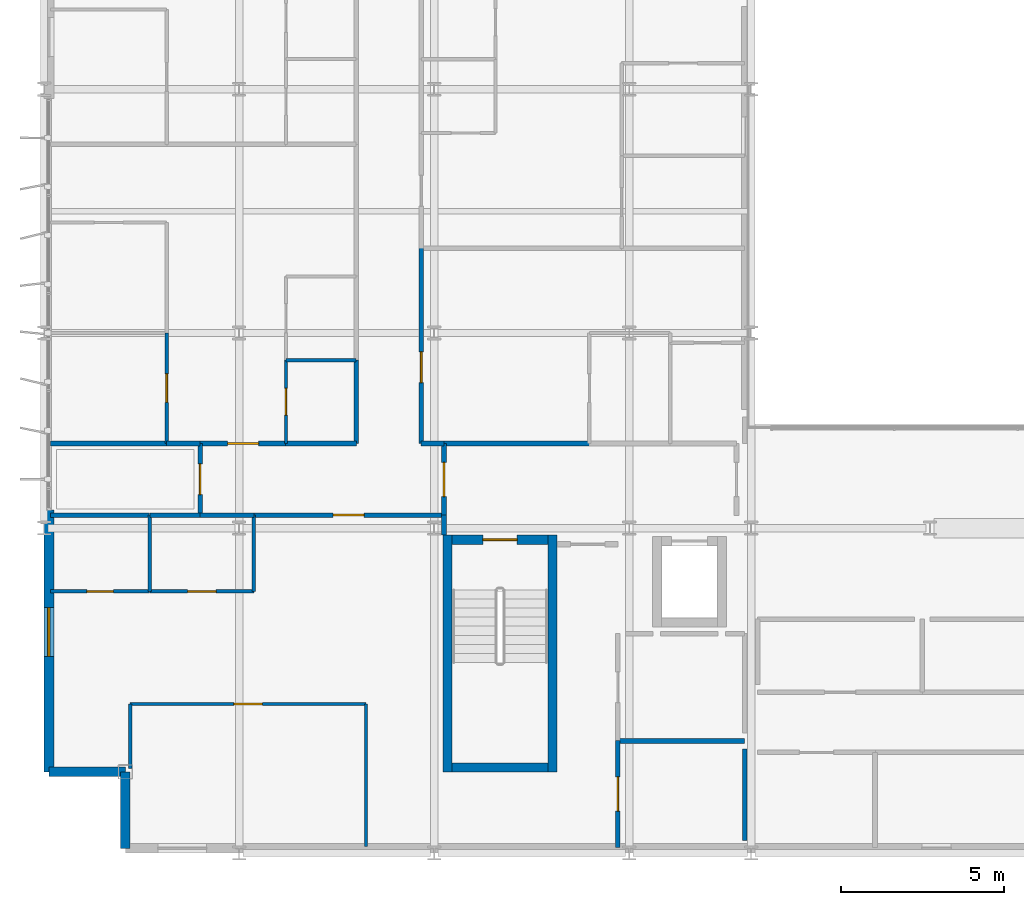
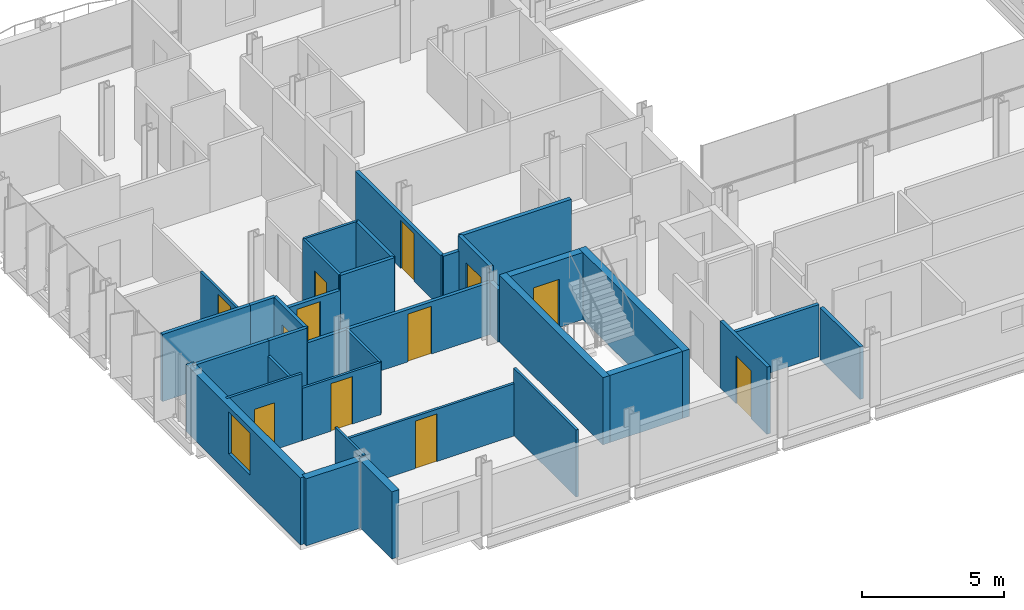
# One storey, part 27 of 38: 35 walls, 12 doors, 1 window, 13 openings.
"""IFC4 building model written with IfcOpenShell, lengths in metres."""

from ifc_helpers import new_model, si_unit, direction, frame, frame_2d, origin, place, context, subcontext, project, spatial, rectangle, extrude, material, layer, layer_set, type_object, element, fill, save


model = new_model("IFC4")

# Units and contexts
model_context = context("Model", 3, precision=1e-05, world=origin(), true_north=direction((0.0, 1.0)))
body_context = subcontext(model_context, "Body", "Model", "MODEL_VIEW")
ifc_project = project(units=[si_unit("LENGTHUNIT", "METRE"), si_unit("AREAUNIT", "SQUARE_METRE"), si_unit("VOLUMEUNIT", "CUBIC_METRE"), si_unit("PLANEANGLEUNIT", "RADIAN"), si_unit("MASSUNIT", "GRAM", prefix="KILO")], contexts=[model_context])

# Site, building, storey
site_placement = place(None, origin())
site = spatial("IfcSite", under=ifc_project, at=site_placement, CompositionType="ELEMENT")
building_placement = place(site_placement, origin())
building = spatial("IfcBuilding", under=site, at=building_placement, Name="Brevholm Reach", CompositionType="ELEMENT")
storey_placement = place(building_placement, frame((0.0, 0.0, 122.10009765625)))
storey = spatial("IfcBuildingStorey", under=building, at=storey_placement, Name="L36", CompositionType="ELEMENT", Elevation=122.10009765625)

# Walls
ifc_material_1 = material(Name="Concrete C50/60", Category="concrete")
ifc_layer_1 = layer(ifc_material_1, 0.280029296875)
ifc_layer_set_1 = layer_set([ifc_layer_1], Name="Concrete C50/60")
wall_type_1 = type_object("IfcWallType", Name="WAL-COR-280", PredefinedType="SHEAR", material=ifc_layer_set_1)
for number, where, z_axis, x_axis, name in (
    (1, (12.409912109375, 2.5, 0.0), (0.0, 0.0, 1.0), (0.0, 1.0, 0.0), "L36 Escape Stair ST-1 Core Wall W"),
    (2, (15.639892578125, 2.5, 0.0), (0.0, 0.0, 1.0), (0.0, 1.0, 0.0), "L36 Escape Stair ST-1 Core Wall E"),
):
    element("IfcWall", number, at=place(storey_placement, frame(where, z_axis=z_axis, x_axis=x_axis)), inside=storey, type_object=wall_type_1, Name=name, PredefinedType="SHEAR", context=body_context, shape_type="SweptSolid", body=[
        extrude(rectangle(XDim=7.280029296875, YDim=0.280029296875, at=frame_2d((3.64013671875, 0.0))), origin(), (0.0, 0.0, 1.0), 2.8798828125),
    ])
wall_1_placement = place(storey_placement, frame((12.550048828125, 2.639892578125, 0.0), z_axis=(0.0, 0.0, 1.0), x_axis=(1.0, 0.0, 0.0)))
element("IfcWall", 3, at=wall_1_placement, inside=storey, type_object=wall_type_1, Name="L36 Escape Stair ST-1 Core Wall S", PredefinedType="SHEAR", context=body_context, shape_type="SweptSolid", body=[
    extrude(rectangle(XDim=2.949951171875, YDim=0.280029296875, at=frame_2d((1.47509765625, 0.0))), origin(), (0.0, 0.0, 1.0), 2.8798828125),
])

# Wall, opening, door
wall_2_placement = place(storey_placement, frame((15.5, 9.639892578125, 0.0), z_axis=(0.0, 0.0, 1.0), x_axis=(-1.0, 0.0, 0.0)))
wall_2 = element("IfcWall", 4, at=wall_2_placement, inside=storey, type_object=wall_type_1, Name="L36 Escape Stair ST-1 Core Wall N", PredefinedType="SHEAR", context=body_context, shape_type="SweptSolid", body=[
    extrude(rectangle(XDim=2.949951171875, YDim=0.280029296875, at=frame_2d((1.47509765625, 0.0))), origin(), (0.0, 0.0, 1.0), 2.8798828125),
])
opening_1_placement = place(wall_2_placement, frame((0.949951171875, 0.0, 0.0)))
opening_1 = element("IfcOpeningElement", 5, at=opening_1_placement, cuts=wall_2, Name="Opening SD-ST-1", PredefinedType="OPENING", context=body_context, shape_type="SweptSolid", body=[
    extrude(rectangle(XDim=1.050048828125, YDim=2.06005859375, at=frame_2d((0.52490234375, 1.030029296875))), frame((0.0, 0.14990234375, 0.0), z_axis=(0.0, -1.0, 0.0), x_axis=(1.0, 0.0, 0.0)), (0.0, 0.0, 1.0), 0.300048828125),
])
ifc_material_2 = material(Name="Hardwood-Lipped Steel-Core Fire and Smoke Door", Category="steel")
door_type_1 = type_object("IfcDoorType", Name="DOR-INT-FD60S", OperationType="NOTDEFINED", PredefinedType="DOOR", material=ifc_material_2)
door_1_placement = place(opening_1_placement, origin())
door_1 = element("IfcDoor", 6, at=door_1_placement, inside=storey, type_object=door_type_1, Name="L36 Protected Stair ST-1 Lobby Door", OperationType="SINGLE_SWING_RIGHT", OverallHeight=2.06005859375, OverallWidth=1.050048828125, PredefinedType="DOOR", context=body_context, shape_type="SweptSolid", body=[
    extrude(rectangle(XDim=1.050048828125, YDim=2.06005859375, at=frame_2d((0.52490234375, 1.030029296875))), frame((0.0, 0.02490234375, 0.0), z_axis=(0.0, -1.0, 0.0), x_axis=(1.0, 0.0, 0.0)), (0.0, 0.0, 1.0), 0.050048828125),
])
fill(opening_1, door_1)

# Walls
ifc_material_3 = material(Name="Concrete C40/50", Category="concrete")
ifc_layer_2 = layer(ifc_material_3, 0.300048828125)
ifc_layer_set_2 = layer_set([ifc_layer_2], Name="Concrete C40/50")
wall_type_2 = type_object("IfcWallType", Name="WAL-EXT-300", PredefinedType="STANDARD", material=ifc_layer_set_2)
for number, where, z_axis, x_axis, name in (
    (7, (2.5, 2.5, 0.0), (0.0, 0.0, 1.0), (0.0, -1.0, 0.0), "L36 Facade Wall WAL-L36-CSW1"),
    (8, (0.14990234375, 2.5, 0.0), (0.0, 0.0, 1.0), (1.0, 0.0, 0.0), "L36 Facade Wall WAL-L36-CSW2"),
):
    element("IfcWall", number, at=place(storey_placement, frame(where, z_axis=z_axis, x_axis=x_axis)), inside=storey, type_object=wall_type_2, Name=name, PredefinedType="STANDARD", context=body_context, shape_type="SweptSolid", body=[
        extrude(rectangle(XDim=2.35009765625, YDim=0.300048828125, at=frame_2d((1.175048828125, 0.0))), origin(), (0.0, 0.0, 1.0), 2.8798828125),
    ])

# Wall, opening, window
wall_3_placement = place(storey_placement, frame((0.14990234375, 10.550048828125, 0.0), z_axis=(0.0, 0.0, 1.0), x_axis=(0.0, -1.0, 0.0)))
wall_3 = element("IfcWall", 9, at=wall_3_placement, inside=storey, type_object=wall_type_2, Name="L36 Facade Wall WAL-L36-W-S", PredefinedType="STANDARD", context=body_context, shape_type="SweptSolid", body=[
    extrude(rectangle(XDim=8.050048828125, YDim=0.300048828125, at=frame_2d((4.02490234375, 0.0))), origin(), (0.0, 0.0, 1.0), 2.8798828125),
])
opening_2_placement = place(wall_3_placement, frame((3.0, 0.0, 0.860107421875)))
opening_2 = element("IfcOpeningElement", 10, at=opening_2_placement, cuts=wall_3, Name="Opening WN-05", PredefinedType="OPENING", context=body_context, shape_type="SweptSolid", body=[
    extrude(rectangle(XDim=1.5, YDim=1.800048828125, at=frame_2d((0.75, 0.89990234375))), frame((0.0, 0.159912109375, 0.0), z_axis=(0.0, -1.0, 0.0), x_axis=(1.0, 0.0, 0.0)), (0.0, 0.0, 1.0), 0.320068359375),
])
ifc_material_4 = material(Name="Dark Anodised Aluminium and Solar-Control IGU Glass", Category="aluminium")
window_type = type_object("IfcWindowType", Name="WIN-RES-1500", PartitioningType="SINGLE_PANEL", PredefinedType="WINDOW", material=ifc_material_4)
window_placement = place(opening_2_placement, origin())
window = element("IfcWindow", 11, at=window_placement, inside=storey, type_object=window_type, Name="L36 Window WIN-L36-WS-1", OverallHeight=1.800048828125, OverallWidth=1.5, PartitioningType="SINGLE_PANEL", PredefinedType="WINDOW", context=body_context, shape_type="SweptSolid", body=[
    extrude(rectangle(XDim=1.5, YDim=1.800048828125, at=frame_2d((0.75, 0.89990234375))), frame((0.0, 0.030029296875, 0.0), z_axis=(0.0, -1.0, 0.0), x_axis=(1.0, 0.0, 0.0)), (0.0, 0.0, 1.0), 0.06005859375),
])
fill(opening_2, window)

# Wall
ifc_material_5 = material(Name="Moisture-Resistant Acoustic Gypsum Stud Partition 100 mm", Category="gypsum")
ifc_layer_3 = layer(ifc_material_5, 0.10009765625)
ifc_layer_set_3 = layer_set([ifc_layer_3], Name="Moisture-Resistant Acoustic Gypsum Stud Partition 100 mm")
wall_type_3 = type_object("IfcWallType", Name="WAL-PRT-100", PredefinedType="PARTITIONING", material=ifc_layer_set_3)
wall_4_placement = place(storey_placement, frame((3.25, 8.053955078125, 0.0), z_axis=(0.0, 0.0, 1.0), x_axis=(0.0, 1.0, 0.0)))
element("IfcWall", 12, at=wall_4_placement, inside=storey, type_object=wall_type_3, Name="L36 Internal Partition 065", PredefinedType="PARTITIONING", context=body_context, shape_type="SweptSolid", body=[
    extrude(rectangle(XDim=2.345947265625, YDim=0.10009765625, at=frame_2d((1.1728515625, 0.0))), origin(), (0.0, 0.0, 1.0), 2.24267578125),
])

# Wall, opening, door
wall_5_placement = place(storey_placement, frame((0.199951171875, 8.053955078125, 0.0), z_axis=(0.0, 0.0, 1.0), x_axis=(1.0, 0.0, 0.0)))
wall_5 = element("IfcWall", 13, at=wall_5_placement, inside=storey, type_object=wall_type_3, Name="L36 Internal Partition 066", PredefinedType="PARTITIONING", context=body_context, shape_type="SweptSolid", body=[
    extrude(rectangle(XDim=3.050048828125, YDim=0.10009765625, at=frame_2d((1.52490234375, 0.0))), origin(), (0.0, 0.0, 1.0), 2.8798828125),
])
opening_3_placement = place(wall_5_placement, frame((1.114990234375, 0.0, 0.0)))
opening_3 = element("IfcOpeningElement", 14, at=opening_3_placement, cuts=wall_5, Name="Opening ID-03", PredefinedType="OPENING", context=body_context, shape_type="SweptSolid", body=[
    extrude(rectangle(XDim=0.820068359375, YDim=2.02001953125, at=frame_2d((0.41015625, 1.010009765625))), frame((0.0, 0.06005859375, 0.0), z_axis=(0.0, -1.0, 0.0), x_axis=(1.0, 0.0, 0.0)), (0.0, 0.0, 1.0), 0.1201171875),
])
ifc_material_6 = material(Name="Moisture-Resistant Painted Timber Internal Bathroom Door", Category="wood")
door_type_2 = type_object("IfcDoorType", Name="DOR-BATH-820", OperationType="NOTDEFINED", PredefinedType="DOOR", material=ifc_material_6)
door_2_placement = place(opening_3_placement, origin())
door_2 = element("IfcDoor", 15, at=door_2_placement, inside=storey, type_object=door_type_2, Name="L36 Internal Door 026", OperationType="SINGLE_SWING_RIGHT", OverallHeight=2.02001953125, OverallWidth=0.820068359375, PredefinedType="DOOR", context=body_context, shape_type="SweptSolid", body=[
    extrude(rectangle(XDim=0.820068359375, YDim=2.02001953125, at=frame_2d((0.41015625, 1.010009765625))), frame((0.0, 0.02490234375, 0.0), z_axis=(0.0, -1.0, 0.0), x_axis=(1.0, 0.0, 0.0)), (0.0, 0.0, 1.0), 0.050048828125),
])
fill(opening_3, door_2)

wall_6_placement = place(storey_placement, frame((3.25390625, 8.053955078125, 0.0), z_axis=(0.0, 0.0, 1.0), x_axis=(1.0, 0.0, 0.0)))
wall_6 = element("IfcWall", 16, at=wall_6_placement, inside=storey, type_object=wall_type_3, Name="L36 Internal Partition 068", PredefinedType="PARTITIONING", context=body_context, shape_type="SweptSolid", body=[
    extrude(rectangle(XDim=3.196044921875, YDim=0.10009765625, at=frame_2d((1.59814453125, 0.0))), origin(), (0.0, 0.0, 1.0), 2.24267578125),
])
opening_4_placement = place(wall_6_placement, frame((1.157958984375, 0.0, 0.0)))
opening_4 = element("IfcOpeningElement", 17, at=opening_4_placement, cuts=wall_6, Name="Opening ID-01", PredefinedType="OPENING", context=body_context, shape_type="SweptSolid", body=[
    extrude(rectangle(XDim=0.8798828125, YDim=2.0400390625, at=frame_2d((0.43994140625, 1.02001953125))), frame((0.0, 0.06005859375, 0.0), z_axis=(0.0, -1.0, 0.0), x_axis=(1.0, 0.0, 0.0)), (0.0, 0.0, 1.0), 0.1201171875),
])
ifc_material_7 = material(Name="Lacquered Ash Solid-Core Acoustic Internal Door", Category="timber")
door_type_3 = type_object("IfcDoorType", Name="DOR-INT-880", OperationType="NOTDEFINED", PredefinedType="DOOR", material=ifc_material_7)
door_3_placement = place(opening_4_placement, origin())
door_3 = element("IfcDoor", 18, at=door_3_placement, inside=storey, type_object=door_type_3, Name="L36 Internal Door 027", OperationType="SINGLE_SWING_LEFT", OverallHeight=2.0400390625, OverallWidth=0.8798828125, PredefinedType="DOOR", context=body_context, shape_type="SweptSolid", body=[
    extrude(rectangle(XDim=0.8798828125, YDim=2.0400390625, at=frame_2d((0.43994140625, 1.02001953125))), frame((0.0, 0.02490234375, 0.0), z_axis=(0.0, -1.0, 0.0), x_axis=(1.0, 0.0, 0.0)), (0.0, 0.0, 1.0), 0.050048828125),
])
fill(opening_4, door_3)

# Walls
wall_7_placement = place(storey_placement, frame((6.449951171875, 8.053955078125, 0.0), z_axis=(0.0, 0.0, 1.0), x_axis=(0.0, 1.0, 0.0)))
element("IfcWall", 19, at=wall_7_placement, inside=storey, type_object=wall_type_3, Name="L36 Internal Partition 069", PredefinedType="PARTITIONING", context=body_context, shape_type="SweptSolid", body=[
    extrude(rectangle(XDim=2.342041015625, YDim=0.10009765625, at=frame_2d((1.1708984375, 0.0))), origin(), (0.0, 0.0, 1.0), 2.24267578125),
])
wall_8_placement = place(storey_placement, frame((2.64990234375, 2.599365234375, 0.0), z_axis=(0.0, 0.0, 1.0), x_axis=(0.0, 1.0, 0.0)))
element("IfcWall", 20, at=wall_8_placement, inside=storey, type_object=wall_type_3, Name="L36 Internal Partition 071", PredefinedType="PARTITIONING", context=body_context, shape_type="SweptSolid", body=[
    extrude(rectangle(XDim=1.986572265625, YDim=0.10009765625, at=frame_2d((0.9931640625, 0.0))), origin(), (0.0, 0.0, 1.0), 2.8798828125),
])
wall_9_placement = place(storey_placement, frame((9.89990234375, 0.199951171875, 0.0), z_axis=(0.0, 0.0, 1.0), x_axis=(0.0, 1.0, 0.0)))
element("IfcWall", 21, at=wall_9_placement, inside=storey, type_object=wall_type_3, Name="L36 Internal Partition 072", PredefinedType="PARTITIONING", context=body_context, shape_type="SweptSolid", body=[
    extrude(rectangle(XDim=4.385986328125, YDim=0.10009765625, at=frame_2d((2.19287109375, 0.0))), origin(), (0.0, 0.0, 1.0), 2.8798828125),
])

# Wall, opening, door
wall_10_placement = place(storey_placement, frame((2.64990234375, 4.5859375, 0.0), z_axis=(0.0, 0.0, 1.0), x_axis=(1.0, 0.0, 0.0)))
wall_10 = element("IfcWall", 22, at=wall_10_placement, inside=storey, type_object=wall_type_3, Name="L36 Internal Partition 073", PredefinedType="PARTITIONING", context=body_context, shape_type="SweptSolid", body=[
    extrude(rectangle(XDim=7.25, YDim=0.10009765625, at=frame_2d((3.625, 0.0))), origin(), (0.0, 0.0, 1.0), 2.24267578125),
])
opening_5_placement = place(wall_10_placement, frame((3.18505859375, 0.0, 0.0)))
opening_5 = element("IfcOpeningElement", 23, at=opening_5_placement, cuts=wall_10, Name="Opening ID-01", PredefinedType="OPENING", context=body_context, shape_type="SweptSolid", body=[
    extrude(rectangle(XDim=0.8798828125, YDim=2.0400390625, at=frame_2d((0.43994140625, 1.02001953125))), frame((0.0, 0.06005859375, 0.0), z_axis=(0.0, -1.0, 0.0), x_axis=(1.0, 0.0, 0.0)), (0.0, 0.0, 1.0), 0.1201171875),
])
door_4_placement = place(opening_5_placement, origin())
door_4 = element("IfcDoor", 24, at=door_4_placement, inside=storey, type_object=door_type_3, Name="L36 Internal Door 028", OperationType="SINGLE_SWING_RIGHT", OverallHeight=2.0400390625, OverallWidth=0.8798828125, PredefinedType="DOOR", context=body_context, shape_type="SweptSolid", body=[
    extrude(rectangle(XDim=0.8798828125, YDim=2.0400390625, at=frame_2d((0.43994140625, 1.02001953125))), frame((0.0, 0.02490234375, 0.0), z_axis=(0.0, -1.0, 0.0), x_axis=(1.0, 0.0, 0.0)), (0.0, 0.0, 1.0), 0.050048828125),
])
fill(opening_5, door_4)

# Wall
wall_11_placement = place(storey_placement, frame((7.43798828125, 15.1640625, 0.0), z_axis=(0.0, 0.0, 1.0), x_axis=(1.0, 0.0, 0.0)))
element("IfcWall", 25, at=wall_11_placement, inside=storey, type_object=wall_type_3, Name="L36 Internal Partition 088", PredefinedType="PARTITIONING", context=body_context, shape_type="SweptSolid", body=[
    extrude(rectangle(XDim=2.157958984375, YDim=0.10009765625, at=frame_2d((1.0791015625, 0.0))), origin(), (0.0, 0.0, 1.0), 2.8798828125),
])

# Wall, opening, door
wall_12_placement = place(storey_placement, frame((7.43798828125, 12.60400390625, 0.0), z_axis=(0.0, 0.0, 1.0), x_axis=(0.0, 1.0, 0.0)))
wall_12 = element("IfcWall", 26, at=wall_12_placement, inside=storey, type_object=wall_type_3, Name="L36 Internal Partition 089", PredefinedType="PARTITIONING", context=body_context, shape_type="SweptSolid", body=[
    extrude(rectangle(XDim=2.56005859375, YDim=0.10009765625, at=frame_2d((1.280029296875, 0.0))), origin(), (0.0, 0.0, 1.0), 2.8798828125),
])
opening_6_placement = place(wall_12_placement, frame((0.8701171875, 0.0, 0.0)))
opening_6 = element("IfcOpeningElement", 27, at=opening_6_placement, cuts=wall_12, Name="Opening ID-03", PredefinedType="OPENING", context=body_context, shape_type="SweptSolid", body=[
    extrude(rectangle(XDim=0.820068359375, YDim=2.02001953125, at=frame_2d((0.41015625, 1.010009765625))), frame((0.0, 0.06005859375, 0.0), z_axis=(0.0, -1.0, 0.0), x_axis=(1.0, 0.0, 0.0)), (0.0, 0.0, 1.0), 0.1201171875),
])
door_5_placement = place(opening_6_placement, origin())
door_5 = element("IfcDoor", 28, at=door_5_placement, inside=storey, type_object=door_type_2, Name="L36 Internal Door 033", OperationType="SINGLE_SWING_LEFT", OverallHeight=2.02001953125, OverallWidth=0.820068359375, PredefinedType="DOOR", context=body_context, shape_type="SweptSolid", body=[
    extrude(rectangle(XDim=0.820068359375, YDim=2.02001953125, at=frame_2d((0.41015625, 1.010009765625))), frame((0.0, 0.02490234375, 0.0), z_axis=(0.0, -1.0, 0.0), x_axis=(1.0, 0.0, 0.0)), (0.0, 0.0, 1.0), 0.050048828125),
])
fill(opening_6, door_5)

wall_13_placement = place(storey_placement, frame((3.77197265625, 12.60400390625, 0.0), z_axis=(0.0, 0.0, 1.0), x_axis=(0.0, 1.0, 0.0)))
wall_13 = element("IfcWall", 29, at=wall_13_placement, inside=storey, type_object=wall_type_3, Name="L36 Internal Partition 093", PredefinedType="PARTITIONING", context=body_context, shape_type="SweptSolid", body=[
    extrude(rectangle(XDim=3.39599609375, YDim=0.10009765625, at=frame_2d((1.697998046875, 0.0))), origin(), (0.0, 0.0, 1.0), 2.24267578125),
])
opening_7_placement = place(wall_13_placement, frame((1.258056640625, 0.0, 0.0)))
opening_7 = element("IfcOpeningElement", 30, at=opening_7_placement, cuts=wall_13, Name="Opening ID-01", PredefinedType="OPENING", context=body_context, shape_type="SweptSolid", body=[
    extrude(rectangle(XDim=0.8798828125, YDim=2.0400390625, at=frame_2d((0.43994140625, 1.02001953125))), frame((0.0, 0.06005859375, 0.0), z_axis=(0.0, -1.0, 0.0), x_axis=(1.0, 0.0, 0.0)), (0.0, 0.0, 1.0), 0.1201171875),
])
door_6_placement = place(opening_7_placement, origin())
door_6 = element("IfcDoor", 31, at=door_6_placement, inside=storey, type_object=door_type_3, Name="L36 Internal Door 035", OperationType="SINGLE_SWING_LEFT", OverallHeight=2.0400390625, OverallWidth=0.8798828125, PredefinedType="DOOR", context=body_context, shape_type="SweptSolid", body=[
    extrude(rectangle(XDim=0.8798828125, YDim=2.0400390625, at=frame_2d((0.43994140625, 1.02001953125))), frame((0.0, 0.02490234375, 0.0), z_axis=(0.0, -1.0, 0.0), x_axis=(1.0, 0.0, 0.0)), (0.0, 0.0, 1.0), 0.050048828125),
])
fill(opening_7, door_6)

ifc_material_8 = material(Name="Twin-Stud Acoustic Fire-Rated Gypsum Partition 140 mm", Category="gypsum")
ifc_layer_4 = layer(ifc_material_8, 0.139892578125)
ifc_layer_set_4 = layer_set([ifc_layer_4], Name="Twin-Stud Acoustic Fire-Rated Gypsum Partition 140 mm")
wall_type_4 = type_object("IfcWallType", Name="WAL-PRT-140", PredefinedType="PARTITIONING", material=ifc_layer_set_4)
wall_14_placement = place(storey_placement, frame((17.64990234375, 0.179931640625, 0.0), z_axis=(0.0, 0.0, 1.0), x_axis=(0.0, 1.0, 0.0)))
wall_14 = element("IfcWall", 32, at=wall_14_placement, inside=storey, type_object=wall_type_4, Name="L36 Internal Partition 009", PredefinedType="PARTITIONING", context=body_context, shape_type="SweptSolid", body=[
    extrude(rectangle(XDim=3.28125, YDim=0.139892578125, at=frame_2d((1.640625, 0.0))), origin(), (0.0, 0.0, 1.0), 2.8798828125),
])
opening_8_placement = place(wall_14_placement, frame((1.11572265625, 0.0, 0.0)))
opening_8 = element("IfcOpeningElement", 33, at=opening_8_placement, cuts=wall_14, Name="Opening FD-01", PredefinedType="OPENING", context=body_context, shape_type="SweptSolid", body=[
    extrude(rectangle(XDim=1.050048828125, YDim=2.06005859375, at=frame_2d((0.52490234375, 1.030029296875))), frame((0.0, 0.079833984375, 0.0), z_axis=(0.0, -1.0, 0.0), x_axis=(1.0, 0.0, 0.0)), (0.0, 0.0, 1.0), 0.159912109375),
])
door_7_placement = place(opening_8_placement, origin())
door_7 = element("IfcDoor", 34, at=door_7_placement, inside=storey, type_object=door_type_1, Name="L36 Internal Door 005", OperationType="SINGLE_SWING_LEFT", OverallHeight=2.06005859375, OverallWidth=1.050048828125, PredefinedType="DOOR", context=body_context, shape_type="SweptSolid", body=[
    extrude(rectangle(XDim=1.050048828125, YDim=2.06005859375, at=frame_2d((0.52490234375, 1.030029296875))), frame((0.0, 0.02490234375, 0.0), z_axis=(0.0, -1.0, 0.0), x_axis=(1.0, 0.0, 0.0)), (0.0, 0.0, 1.0), 0.050048828125),
])
fill(opening_8, door_7)

# Walls
wall_15_placement = place(storey_placement, frame((17.654052734375, 3.449951171875, 0.0), z_axis=(0.0, 0.0, 1.0), x_axis=(1.0, 0.0, 0.0)))
element("IfcWall", 35, at=wall_15_placement, inside=storey, type_object=wall_type_4, Name="L36 Internal Partition 012", PredefinedType="PARTITIONING", context=body_context, shape_type="SweptSolid", body=[
    extrude(rectangle(XDim=3.89599609375, YDim=0.139892578125, at=frame_2d((1.947998046875, 0.0))), origin(), (0.0, 0.0, 1.0), 2.24267578125),
])
wall_16_placement = place(storey_placement, frame((4.800048828125, 10.39990234375, 0.0), z_axis=(0.0, 0.0, 1.0), x_axis=(1.0, 0.0, 0.0)))
element("IfcWall", 36, at=wall_16_placement, inside=storey, type_object=wall_type_4, Name="L36 Internal Partition 027", PredefinedType="PARTITIONING", context=body_context, shape_type="SweptSolid", body=[
    extrude(rectangle(XDim=1.6611328125, YDim=0.139892578125, at=frame_2d((0.83056640625, 0.0))), origin(), (0.0, 0.0, 1.0), 2.24267578125),
])

# Wall, opening, door
wall_17_placement = place(storey_placement, frame((6.442626953125, 10.39990234375, 0.0), z_axis=(0.0, 0.0, 1.0), x_axis=(1.0, 0.0, 0.0)))
wall_17 = element("IfcWall", 37, at=wall_17_placement, inside=storey, type_object=wall_type_4, Name="L36 Internal Partition 028", PredefinedType="PARTITIONING", context=body_context, shape_type="SweptSolid", body=[
    extrude(rectangle(XDim=5.853271484375, YDim=0.139892578125, at=frame_2d((2.9267578125, 0.0))), origin(), (0.0, 0.0, 1.0), 2.24267578125),
])
opening_9_placement = place(wall_17_placement, frame((2.45166015625, 0.0, 0.0)))
opening_9 = element("IfcOpeningElement", 38, at=opening_9_placement, cuts=wall_17, Name="Opening ID-30", PredefinedType="OPENING", context=body_context, shape_type="SweptSolid", body=[
    extrude(rectangle(XDim=0.949951171875, YDim=2.050048828125, at=frame_2d((0.47509765625, 1.02490234375))), frame((0.0, 0.079833984375, 0.0), z_axis=(0.0, -1.0, 0.0), x_axis=(1.0, 0.0, 0.0)), (0.0, 0.0, 1.0), 0.159912109375),
])
ifc_material_9 = material(Name="European Oak Veneered Solid-Core Fire Entrance Door", Category="timber")
door_type_4 = type_object("IfcDoorType", Name="DOR-FLT-FD30S", OperationType="NOTDEFINED", PredefinedType="DOOR", material=ifc_material_9)
door_8_placement = place(opening_9_placement, origin())
door_8 = element("IfcDoor", 39, at=door_8_placement, inside=storey, type_object=door_type_4, Name="L36 Internal Door 015", OperationType="SINGLE_SWING_LEFT", OverallHeight=2.050048828125, OverallWidth=0.949951171875, PredefinedType="DOOR", context=body_context, shape_type="SweptSolid", body=[
    extrude(rectangle(XDim=0.949951171875, YDim=2.050048828125, at=frame_2d((0.47509765625, 1.02490234375))), frame((0.0, 0.02490234375, 0.0), z_axis=(0.0, -1.0, 0.0), x_axis=(1.0, 0.0, 0.0)), (0.0, 0.0, 1.0), 0.050048828125),
])
fill(opening_9, door_8)

wall_18_placement = place(storey_placement, frame((4.800048828125, 10.39990234375, 0.0), z_axis=(0.0, 0.0, 1.0), x_axis=(0.0, 1.0, 0.0)))
wall_18 = element("IfcWall", 40, at=wall_18_placement, inside=storey, type_object=wall_type_4, Name="L36 Internal Partition 029", PredefinedType="PARTITIONING", context=body_context, shape_type="SweptSolid", body=[
    extrude(rectangle(XDim=2.2001953125, YDim=0.139892578125, at=frame_2d((1.10009765625, 0.0))), origin(), (0.0, 0.0, 1.0), 2.8798828125),
])
opening_10_placement = place(wall_18_placement, frame((0.625, 0.0, 0.0)))
opening_10 = element("IfcOpeningElement", 41, at=opening_10_placement, cuts=wall_18, Name="Opening ID-30", PredefinedType="OPENING", context=body_context, shape_type="SweptSolid", body=[
    extrude(rectangle(XDim=0.949951171875, YDim=2.050048828125, at=frame_2d((0.47509765625, 1.02490234375))), frame((0.0, 0.079833984375, 0.0), z_axis=(0.0, -1.0, 0.0), x_axis=(1.0, 0.0, 0.0)), (0.0, 0.0, 1.0), 0.159912109375),
])
door_9_placement = place(opening_10_placement, origin())
door_9 = element("IfcDoor", 42, at=door_9_placement, inside=storey, type_object=door_type_4, Name="L36 Internal Door 016", OperationType="SINGLE_SWING_RIGHT", OverallHeight=2.050048828125, OverallWidth=0.949951171875, PredefinedType="DOOR", context=body_context, shape_type="SweptSolid", body=[
    extrude(rectangle(XDim=0.949951171875, YDim=2.050048828125, at=frame_2d((0.47509765625, 1.02490234375))), frame((0.0, 0.02490234375, 0.0), z_axis=(0.0, -1.0, 0.0), x_axis=(1.0, 0.0, 0.0)), (0.0, 0.0, 1.0), 0.050048828125),
])
fill(opening_10, door_9)

# Wall
wall_19_placement = place(storey_placement, frame((7.4267578125, 12.60009765625, 0.0), z_axis=(0.0, 0.0, 1.0), x_axis=(1.0, 0.0, 0.0)))
element("IfcWall", 43, at=wall_19_placement, inside=storey, type_object=wall_type_4, Name="L36 Internal Partition 030", PredefinedType="PARTITIONING", context=body_context, shape_type="SweptSolid", body=[
    extrude(rectangle(XDim=2.1806640625, YDim=0.139892578125, at=frame_2d((1.09033203125, 0.0))), origin(), (0.0, 0.0, 1.0), 2.8798828125),
])

# Wall, opening, door
wall_20_placement = place(storey_placement, frame((4.800048828125, 12.60009765625, 0.0), z_axis=(0.0, 0.0, 1.0), x_axis=(1.0, 0.0, 0.0)))
wall_20 = element("IfcWall", 44, at=wall_20_placement, inside=storey, type_object=wall_type_4, Name="L36 Internal Partition 031", PredefinedType="PARTITIONING", context=body_context, shape_type="SweptSolid", body=[
    extrude(rectangle(XDim=2.645263671875, YDim=0.139892578125, at=frame_2d((1.32275390625, 0.0))), origin(), (0.0, 0.0, 1.0), 2.24267578125),
])
opening_11_placement = place(wall_20_placement, frame((0.84765625, 0.0, 0.0)))
opening_11 = element("IfcOpeningElement", 45, at=opening_11_placement, cuts=wall_20, Name="Opening ID-30", PredefinedType="OPENING", context=body_context, shape_type="SweptSolid", body=[
    extrude(rectangle(XDim=0.949951171875, YDim=2.050048828125, at=frame_2d((0.47509765625, 1.02490234375))), frame((0.0, 0.079833984375, 0.0), z_axis=(0.0, -1.0, 0.0), x_axis=(1.0, 0.0, 0.0)), (0.0, 0.0, 1.0), 0.159912109375),
])
door_10_placement = place(opening_11_placement, origin())
door_10 = element("IfcDoor", 46, at=door_10_placement, inside=storey, type_object=door_type_4, Name="L36 Internal Door 017", OperationType="SINGLE_SWING_LEFT", OverallHeight=2.050048828125, OverallWidth=0.949951171875, PredefinedType="DOOR", context=body_context, shape_type="SweptSolid", body=[
    extrude(rectangle(XDim=0.949951171875, YDim=2.050048828125, at=frame_2d((0.47509765625, 1.02490234375))), frame((0.0, 0.02490234375, 0.0), z_axis=(0.0, -1.0, 0.0), x_axis=(1.0, 0.0, 0.0)), (0.0, 0.0, 1.0), 0.050048828125),
])
fill(opening_11, door_10)

# Walls
wall_21_placement = place(storey_placement, frame((11.5927734375, 12.60009765625, 0.0), z_axis=(0.0, 0.0, 1.0), x_axis=(1.0, 0.0, 0.0)))
element("IfcWall", 47, at=wall_21_placement, inside=storey, type_object=wall_type_4, Name="L36 Internal Partition 032", PredefinedType="PARTITIONING", context=body_context, shape_type="SweptSolid", body=[
    extrude(rectangle(XDim=0.703125, YDim=0.139892578125, at=frame_2d((0.3515625, 0.0))), origin(), (0.0, 0.0, 1.0), 2.24267578125),
])
wall_22_placement = place(storey_placement, frame((9.60009765625, 12.60400390625, 0.0), z_axis=(0.0, 0.0, 1.0), x_axis=(0.0, 1.0, 0.0)))
element("IfcWall", 48, at=wall_22_placement, inside=storey, type_object=wall_type_4, Name="L36 Internal Partition 036", PredefinedType="PARTITIONING", context=body_context, shape_type="SweptSolid", body=[
    extrude(rectangle(XDim=2.5712890625, YDim=0.139892578125, at=frame_2d((1.28564453125, 0.0))), origin(), (0.0, 0.0, 1.0), 2.8798828125),
])

# Wall, opening, door
wall_23_placement = place(storey_placement, frame((11.60009765625, 12.60400390625, 0.0), z_axis=(0.0, 0.0, 1.0), x_axis=(0.0, 1.0, 0.0)))
wall_23 = element("IfcWall", 49, at=wall_23_placement, inside=storey, type_object=wall_type_4, Name="L36 Internal Partition 042", PredefinedType="PARTITIONING", context=body_context, shape_type="SweptSolid", body=[
    extrude(rectangle(XDim=6.00732421875, YDim=0.139892578125, at=frame_2d((3.003662109375, 0.0))), origin(), (0.0, 0.0, 1.0), 2.24267578125),
])
opening_12_placement = place(wall_23_placement, frame((1.86865234375, 0.0, 0.0)))
opening_12 = element("IfcOpeningElement", 50, at=opening_12_placement, cuts=wall_23, Name="Opening ID-30", PredefinedType="OPENING", context=body_context, shape_type="SweptSolid", body=[
    extrude(rectangle(XDim=0.949951171875, YDim=2.050048828125, at=frame_2d((0.47509765625, 1.02490234375))), frame((0.0, 0.079833984375, 0.0), z_axis=(0.0, -1.0, 0.0), x_axis=(1.0, 0.0, 0.0)), (0.0, 0.0, 1.0), 0.159912109375),
])
door_11_placement = place(opening_12_placement, origin())
door_11 = element("IfcDoor", 51, at=door_11_placement, inside=storey, type_object=door_type_4, Name="L36 Internal Door 019", OperationType="SINGLE_SWING_LEFT", OverallHeight=2.050048828125, OverallWidth=0.949951171875, PredefinedType="DOOR", context=body_context, shape_type="SweptSolid", body=[
    extrude(rectangle(XDim=0.949951171875, YDim=2.050048828125, at=frame_2d((0.47509765625, 1.02490234375))), frame((0.0, 0.02490234375, 0.0), z_axis=(0.0, -1.0, 0.0), x_axis=(1.0, 0.0, 0.0)), (0.0, 0.0, 1.0), 0.050048828125),
])
fill(opening_12, door_11)

# Walls
wall_24_placement = place(storey_placement, frame((0.199951171875, 10.39990234375, 0.0), z_axis=(0.0, 0.0, 1.0), x_axis=(1.0, 0.0, 0.0)))
element("IfcWall", 52, at=wall_24_placement, inside=storey, type_object=wall_type_4, Name="L36 Internal Partition 067", PredefinedType="PARTITIONING", context=body_context, shape_type="SweptSolid", body=[
    extrude(rectangle(XDim=3.050048828125, YDim=0.139892578125, at=frame_2d((1.52490234375, 0.0))), origin(), (0.0, 0.0, 1.0), 2.8798828125),
])
wall_25_placement = place(storey_placement, frame((3.25390625, 10.39990234375, 0.0), z_axis=(0.0, 0.0, 1.0), x_axis=(1.0, 0.0, 0.0)))
element("IfcWall", 53, at=wall_25_placement, inside=storey, type_object=wall_type_4, Name="L36 Internal Partition 070", PredefinedType="PARTITIONING", context=body_context, shape_type="SweptSolid", body=[
    extrude(rectangle(XDim=1.5419921875, YDim=0.139892578125, at=frame_2d((0.77099609375, 0.0))), origin(), (0.0, 0.0, 1.0), 2.8798828125),
])
wall_26_placement = place(storey_placement, frame((0.199951171875, 12.60009765625, 0.0), z_axis=(0.0, 0.0, 1.0), x_axis=(1.0, 0.0, 0.0)))
element("IfcWall", 54, at=wall_26_placement, inside=storey, type_object=wall_type_4, Name="L36 Internal Partition 074", PredefinedType="PARTITIONING", context=body_context, shape_type="SweptSolid", body=[
    extrude(rectangle(XDim=3.583251953125, YDim=0.139892578125, at=frame_2d((1.79150390625, 0.0))), origin(), (0.0, 0.0, 1.0), 2.8798828125),
])
wall_27_placement = place(storey_placement, frame((3.7646484375, 12.60009765625, 0.0), z_axis=(0.0, 0.0, 1.0), x_axis=(1.0, 0.0, 0.0)))
element("IfcWall", 55, at=wall_27_placement, inside=storey, type_object=wall_type_4, Name="L36 Internal Partition 075", PredefinedType="PARTITIONING", context=body_context, shape_type="SweptSolid", body=[
    extrude(rectangle(XDim=1.03125, YDim=0.139892578125, at=frame_2d((0.515625, 0.0))), origin(), (0.0, 0.0, 1.0), 2.8798828125),
])
wall_28_placement = place(storey_placement, frame((21.550048828125, 0.389892578125, 0.0), z_axis=(0.0, 0.0, 1.0), x_axis=(0.0, 1.0, 0.0)))
element("IfcWall", 56, at=wall_28_placement, inside=storey, type_object=wall_type_4, Name="L36 Internal Partition 164", PredefinedType="PARTITIONING", context=body_context, shape_type="SweptSolid", body=[
    extrude(rectangle(XDim=2.820068359375, YDim=0.139892578125, at=frame_2d((1.41015625, 0.0))), origin(), (0.0, 0.0, 1.0), 2.24267578125),
])

# Wall, opening, door
ifc_material_10 = material(Name="Twin-Frame Fire-Rated Gypsum Board and Mineral Wool 160 mm", Category="gypsum")
ifc_layer_5 = layer(ifc_material_10, 0.159912109375)
ifc_layer_set_5 = layer_set([ifc_layer_5], Name="Twin-Frame Fire-Rated Gypsum Board and Mineral Wool 160 mm")
wall_type_5 = type_object("IfcWallType", Name="WAL-PRT-160", PredefinedType="PARTITIONING", material=ifc_layer_set_5)
wall_29_placement = place(storey_placement, frame((12.300048828125, 10.388671875, 0.0), z_axis=(0.0, 0.0, 1.0), x_axis=(0.0, 1.0, 0.0)))
wall_29 = element("IfcWall", 57, at=wall_29_placement, inside=storey, type_object=wall_type_5, Name="L36 Internal Partition 017", PredefinedType="PARTITIONING", context=body_context, shape_type="SweptSolid", body=[
    extrude(rectangle(XDim=2.21142578125, YDim=0.159912109375, at=frame_2d((1.105712890625, 0.0))), origin(), (0.0, 0.0, 1.0), 2.8798828125),
])
opening_13_placement = place(wall_29_placement, frame((0.58056640625, 0.0, 0.0)))
opening_13 = element("IfcOpeningElement", 58, at=opening_13_placement, cuts=wall_29, Name="Opening FD-01", PredefinedType="OPENING", context=body_context, shape_type="SweptSolid", body=[
    extrude(rectangle(XDim=1.050048828125, YDim=2.06005859375, at=frame_2d((0.52490234375, 1.030029296875))), frame((0.0, 0.08984375, 0.0), z_axis=(0.0, -1.0, 0.0), x_axis=(1.0, 0.0, 0.0)), (0.0, 0.0, 1.0), 0.179931640625),
])
door_12_placement = place(opening_13_placement, origin())
door_12 = element("IfcDoor", 59, at=door_12_placement, inside=storey, type_object=door_type_1, Name="L36 Internal Door 011", OperationType="SINGLE_SWING_LEFT", OverallHeight=2.06005859375, OverallWidth=1.050048828125, PredefinedType="DOOR", context=body_context, shape_type="SweptSolid", body=[
    extrude(rectangle(XDim=1.050048828125, YDim=2.06005859375, at=frame_2d((0.52490234375, 1.030029296875))), frame((0.0, 0.02490234375, 0.0), z_axis=(0.0, -1.0, 0.0), x_axis=(1.0, 0.0, 0.0)), (0.0, 0.0, 1.0), 0.050048828125),
])
fill(opening_13, door_12)

# Walls
wall_30_placement = place(storey_placement, frame((12.300048828125, 9.7900390625, 0.0), z_axis=(0.0, 0.0, 1.0), x_axis=(0.0, 1.0, 0.0)))
element("IfcWall", 60, at=wall_30_placement, inside=storey, type_object=wall_type_5, Name="L36 Internal Partition 019", PredefinedType="PARTITIONING", context=body_context, shape_type="SweptSolid", body=[
    extrude(rectangle(XDim=0.6171875, YDim=0.159912109375, at=frame_2d((0.30859375, 0.0))), origin(), (0.0, 0.0, 1.0), 2.24267578125),
])
wall_31_placement = place(storey_placement, frame((12.300048828125, 12.60009765625, 0.0), z_axis=(0.0, 0.0, 1.0), x_axis=(1.0, 0.0, 0.0)))
element("IfcWall", 61, at=wall_31_placement, inside=storey, type_object=wall_type_5, Name="L36 Internal Partition 022", PredefinedType="PARTITIONING", context=body_context, shape_type="SweptSolid", body=[
    extrude(rectangle(XDim=4.480224609375, YDim=0.159912109375, at=frame_2d((2.240234375, 0.0))), origin(), (0.0, 0.0, 1.0), 2.8798828125),
])

save(model, "model.ifc")
